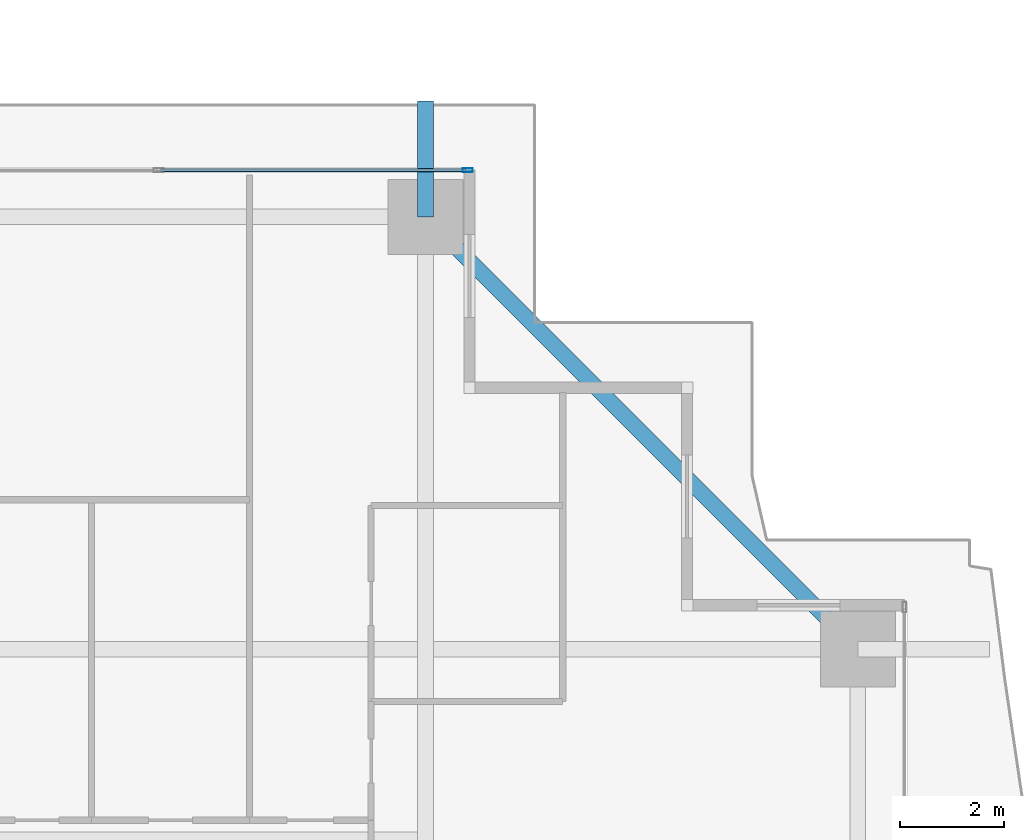
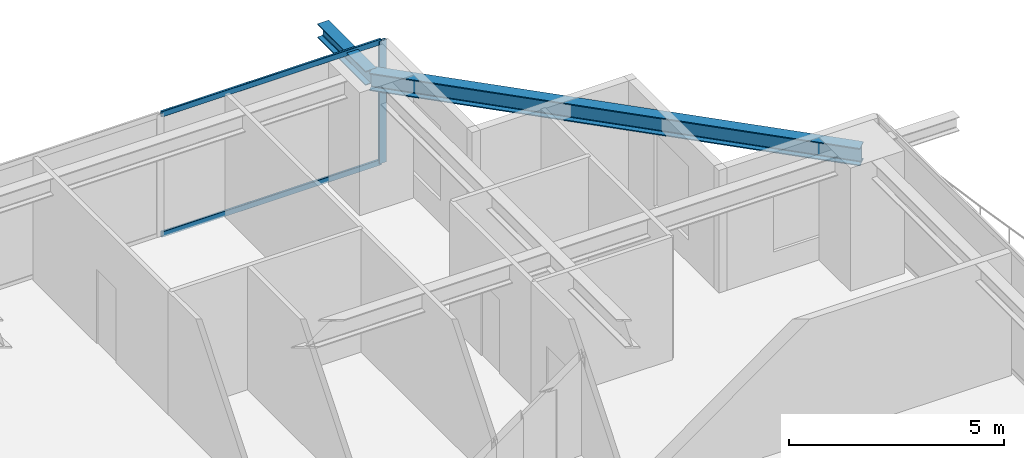
# One storey, part 25 of 39: 3 members, 2 beams, 1 element without a shape of its own.
"""IFC4 building model written with IfcOpenShell, lengths in metres."""

from ifc_helpers import new_model, si_unit, direction, frame, origin, origin_2d, place, context, subcontext, project, spatial, hollow_rectangle, i_section, extrude, source, transform, mapped, material, layer, layer_set, material_profile, profile_set, type_object, element, aggregate, save


model = new_model("IFC4")

# Units and contexts
model_context = context("Model", 3, precision=1e-05, world=origin(), true_north=direction((0.0, 1.0)))
body_context = subcontext(model_context, "Body", "Model", "MODEL_VIEW")
ifc_project = project(units=[si_unit("LENGTHUNIT", "METRE"), si_unit("AREAUNIT", "SQUARE_METRE"), si_unit("VOLUMEUNIT", "CUBIC_METRE"), si_unit("PLANEANGLEUNIT", "RADIAN"), si_unit("MASSUNIT", "GRAM", prefix="KILO")], contexts=[model_context])

# Site, building, storey
site_placement = place(None, origin())
site = spatial("IfcSite", under=ifc_project, at=site_placement, CompositionType="ELEMENT")
building_placement = place(site_placement, origin())
building = spatial("IfcBuilding", under=site, at=building_placement, Name="Serunith Strait Residences", CompositionType="ELEMENT")
storey_placement = place(building_placement, frame((0.0, 0.0, 94.199951171875)))
storey = spatial("IfcBuildingStorey", under=building, at=storey_placement, Name="L23", CompositionType="ELEMENT", Elevation=94.199951171875)

# Beams
ifc_material_1 = material(Name="Steel S355J2", Category="steel")
ifc_material_profile_1 = material_profile(ifc_material_1, i_section(OverallWidth=0.300048828125, OverallDepth=0.5, WebThickness=0.014404296875, FlangeThickness=0.028076171875, FilletRadius=0.027099609375, at=origin_2d()), Name="HEB 500")
ifc_profile_set_1 = profile_set([ifc_material_profile_1], Name="Steel S355J2")
beam_type_1 = type_object("IfcBeamType", Name="BM-HEB500", PredefinedType="BEAM", material=ifc_profile_set_1)
shared_shape_1 = source(origin(), body_context, "Body", "SweptSolid", [
    extrude(i_section(OverallWidth=0.300048828125, OverallDepth=0.5, WebThickness=0.014404296875, FlangeThickness=0.028076171875, FilletRadius=0.027099609375, at=origin_2d()), origin(), (0.0, 0.0, 1.0), 11.80859375),
])
beam_1_placement = place(storey_placement, frame((57.89990234375, 40.949951171875, 3.20703125), z_axis=(-0.707096443746, 0.707117118476, 0.0), x_axis=(-0.707117118476, -0.707096443746, 0.0)))
element("IfcBeam", 1, at=beam_1_placement, inside=storey, type_object=beam_type_1, Name="L23 Perimeter Ring Beam 08", PredefinedType="BEAM", context=body_context, shape_type="MappedRepresentation", body=[
    mapped(shared_shape_1, transform((0.0, 0.0, 0.0), scale=1.0)),
])
ifc_material_profile_2 = material_profile(ifc_material_1, i_section(OverallWidth=0.300048828125, OverallDepth=0.39990234375, WebThickness=0.013427734375, FlangeThickness=0.02392578125, FilletRadius=0.027099609375, at=origin_2d()), Name="HEB 400")
ifc_profile_set_2 = profile_set([ifc_material_profile_2], Name="Steel S355J2")
beam_type_2 = type_object("IfcBeamType", Name="BM-HEB400", PredefinedType="BEAM", material=ifc_profile_set_2)
shared_shape_2 = source(origin(), body_context, "Body", "SweptSolid", [
    extrude(i_section(OverallWidth=0.300048828125, OverallDepth=0.39990234375, WebThickness=0.013427734375, FlangeThickness=0.02392578125, FilletRadius=0.027099609375, at=origin_2d()), origin(), (0.0, 0.0, 1.0), 2.235595703125),
])
beam_2_placement = place(storey_placement, frame((49.550048828125, 49.300048828125, 3.257080078125), z_axis=(0.0, 1.0, 0.0), x_axis=(-1.0, 0.0, 0.0)))
element("IfcBeam", 2, at=beam_2_placement, inside=storey, type_object=beam_type_2, Name="L24 Cantilevered Balcony Rib TC-N4", PredefinedType="BEAM", context=body_context, shape_type="MappedRepresentation", body=[
    mapped(shared_shape_2, transform((0.0, 0.0, 0.0), scale=1.0)),
])

# Curtain wall, members
ifc_material_2 = material(Name="Pale-Champagne Anodised Aluminium", Category="aluminium")
ifc_layer = layer(ifc_material_2, 0.199951171875, Name="Pale-Champagne Anodised Aluminium")
ifc_layer_set = layer_set([ifc_layer], Name="Pale-Champagne Anodised Aluminium")
curtain_wall_type = type_object("IfcCurtainWallType", Name="CW-SYS1", PredefinedType="NOTDEFINED", material=ifc_layer_set)
curtain_wall_placement = place(storey_placement, origin())
curtain_wall = element("IfcCurtainWall", 3, at=curtain_wall_placement, inside=storey, type_object=curtain_wall_type, Name="L23 N Unitised Fritted Curtain Wall", PredefinedType="NOTDEFINED")
ifc_material_profile_3 = material_profile(ifc_material_2, hollow_rectangle(XDim=0.070068359375, YDim=0.199951171875, WallThickness=0.00390625, InnerFilletRadius=0.006103515625, OuterFilletRadius=0.010009765625, at=origin_2d()), Name="ALU 200x70x4")
ifc_profile_set_3 = profile_set([ifc_material_profile_3], Name="Pale-Champagne Anodised Aluminium")
member_type_1 = type_object("IfcMemberType", Name="CW-SYS1-MULL", PredefinedType="MULLION", material=ifc_profile_set_3)
shared_shape_3 = source(origin(), body_context, "Body", "SweptSolid", [
    extrude(hollow_rectangle(XDim=0.070068359375, YDim=0.199951171875, WallThickness=0.00390625, InnerFilletRadius=0.006103515625, OuterFilletRadius=0.010009765625, at=origin_2d()), origin(), (0.0, 0.0, 1.0), 3.47509765625),
])
member_1_placement = place(storey_placement, frame((50.364990234375, 50.199951171875, 0.0), z_axis=(0.0, 0.0, 1.0), x_axis=(0.0, -1.0, 0.0)))
member_1 = element("IfcMember", 4, at=member_1_placement, type_object=member_type_1, Name="CW-1 mullion 1", PredefinedType="MULLION", context=body_context, shape_type="MappedRepresentation", body=[
    mapped(shared_shape_3, transform((0.0, 0.0, 0.0), scale=1.0)),
])
ifc_material_profile_4 = material_profile(ifc_material_2, hollow_rectangle(XDim=0.06005859375, YDim=0.159912109375, WallThickness=0.00341796875, InnerFilletRadius=0.00537109375, OuterFilletRadius=0.0087890625, at=origin_2d()), Name="ALU 160x60x3.5")
ifc_profile_set_4 = profile_set([ifc_material_profile_4], Name="Pale-Champagne Anodised Aluminium")
member_type_2 = type_object("IfcMemberType", Name="CW-SYS1-TRAN", PredefinedType="USERDEFINED", material=ifc_profile_set_4)
shared_shape_4 = source(origin(), body_context, "Body", "SweptSolid", [
    extrude(hollow_rectangle(XDim=0.06005859375, YDim=0.159912109375, WallThickness=0.00341796875, InnerFilletRadius=0.00537109375, OuterFilletRadius=0.0087890625, at=origin_2d()), origin(), (0.0, 0.0, 1.0), 5.89501953125),
])
member_2_placement = place(storey_placement, frame((50.330078125, 50.199951171875, 0.030029296875), z_axis=(-1.0, 0.0, 0.0), x_axis=(0.0, -1.0, 0.0)))
member_2 = element("IfcMember", 5, at=member_2_placement, type_object=member_type_2, Name="CW-1 transom 1.1", ObjectType="TRANSOM", PredefinedType="USERDEFINED", context=body_context, shape_type="MappedRepresentation", body=[
    mapped(shared_shape_4, transform((0.0, 0.0, 0.0), scale=1.0)),
])
member_3_placement = place(storey_placement, frame((50.330078125, 50.199951171875, 3.445068359375), z_axis=(-1.0, 0.0, 0.0), x_axis=(0.0, -1.0, 0.0)))
member_3 = element("IfcMember", 6, at=member_3_placement, type_object=member_type_2, Name="CW-1 transom 1.2", ObjectType="TRANSOM", PredefinedType="USERDEFINED", context=body_context, shape_type="MappedRepresentation", body=[
    mapped(shared_shape_4, transform((0.0, 0.0, 0.0), scale=1.0)),
])
aggregate(curtain_wall, [member_1, member_2, member_3])

save(model, "model.ifc")
